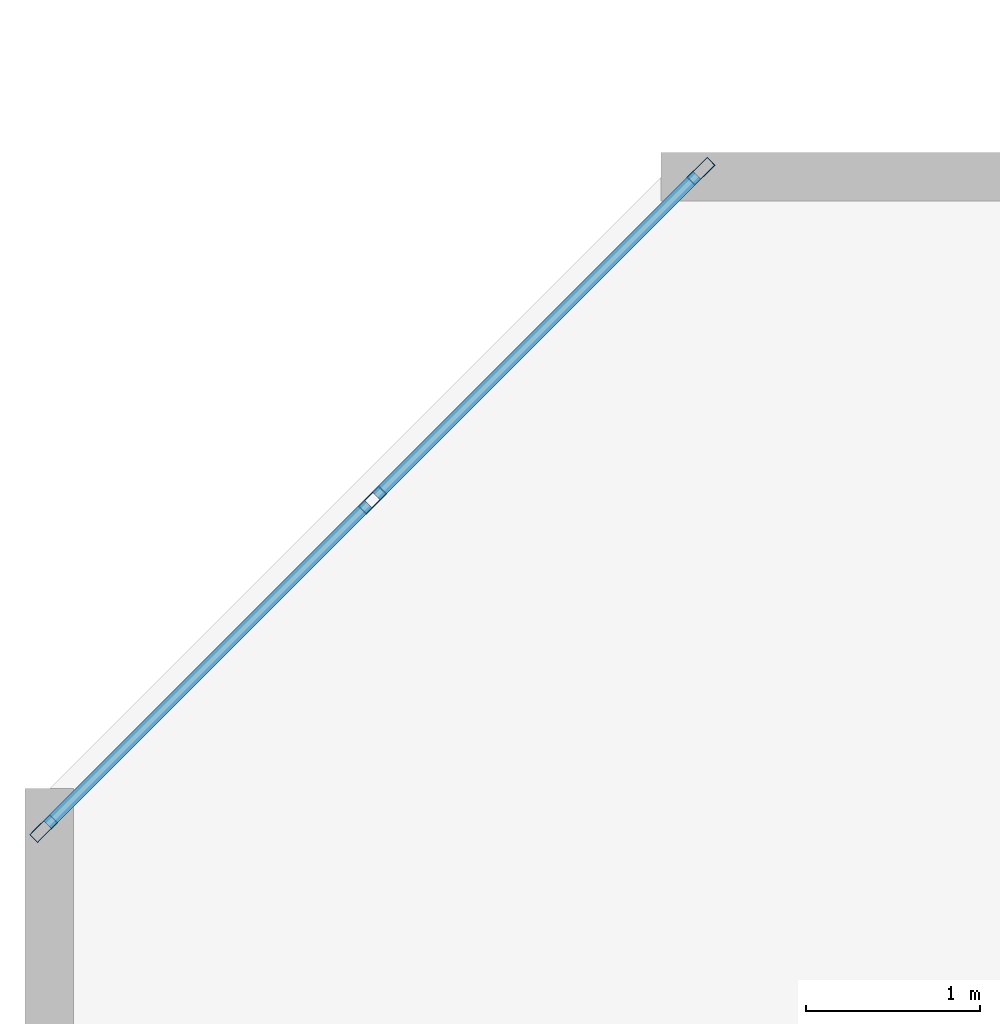
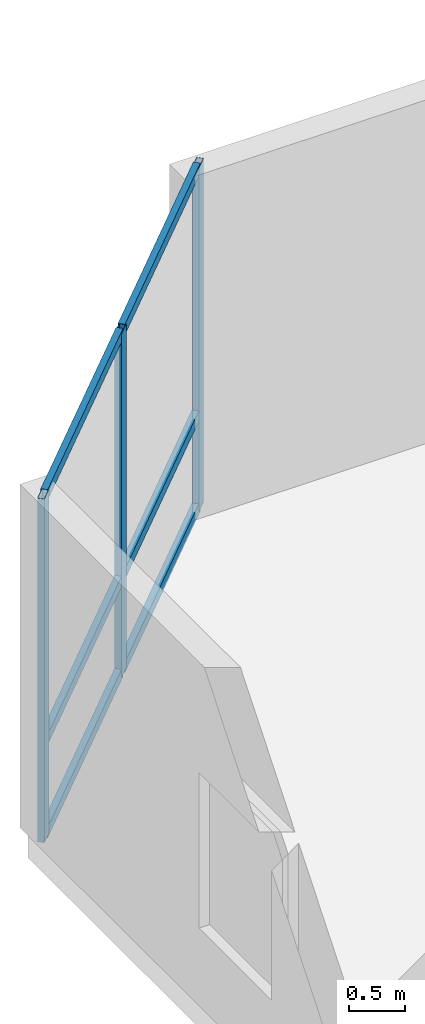
# One storey, part 2 of 9: 9 members, 1 element without a shape of its own.
"""IFC4 building model written with IfcOpenShell, lengths in metres."""

from ifc_helpers import new_model, si_unit, direction, frame, origin, origin_2d, place, context, subcontext, project, spatial, hollow_rectangle, extrude, material, layer, layer_set, material_profile, profile_set, type_object, element, aggregate, save


model = new_model("IFC4")

# Units and contexts
model_context = context("Model", 3, precision=1e-05, world=origin(), true_north=direction((0.0, 1.0)))
body_context = subcontext(model_context, "Body", "Model", "MODEL_VIEW")
ifc_project = project(units=[si_unit("LENGTHUNIT", "METRE"), si_unit("AREAUNIT", "SQUARE_METRE"), si_unit("VOLUMEUNIT", "CUBIC_METRE"), si_unit("PLANEANGLEUNIT", "RADIAN"), si_unit("MASSUNIT", "GRAM", prefix="KILO")], contexts=[model_context])

# Site, building, storey
site_placement = place(None, origin())
site = spatial("IfcSite", under=ifc_project, at=site_placement, CompositionType="ELEMENT")
building_placement = place(site_placement, origin())
building = spatial("IfcBuilding", under=site, at=building_placement, Name="Kestravale Grand Hotel", CompositionType="ELEMENT")
storey_placement = place(building_placement, frame((0.0, 0.0, 257.39990234375)))
storey = spatial("IfcBuildingStorey", under=building, at=storey_placement, Name="L64", CompositionType="ELEMENT", Elevation=257.39990234375)

# Curtain wall, members
ifc_material_1 = material(Name="Thermally broken champagne-bronze aluminium and low-E glazing", Category="aluminium")
ifc_layer = layer(ifc_material_1, 0.179931640625)
ifc_layer_set = layer_set([ifc_layer], Name="CW-Z4")
curtain_wall_type = type_object("IfcCurtainWallType", Name="CW-Z4", PredefinedType="NOTDEFINED", material=ifc_layer_set)
curtain_wall_placement = place(storey_placement, origin())
curtain_wall = element("IfcCurtainWall", 1, at=curtain_wall_placement, inside=storey, type_object=curtain_wall_type, Name="L64 unitised curtain wall 18", PredefinedType="NOTDEFINED")
ifc_material_2 = material(Name="Aluminium 6063-T6 anodised", Category="aluminium")
ifc_material_profile_1 = material_profile(ifc_material_2, hollow_rectangle(XDim=0.06494140625, YDim=0.1650390625, WallThickness=0.00341796875, at=origin_2d()))
ifc_profile_set_1 = profile_set([ifc_material_profile_1], Name="Aluminium 6063-T6 anodised")
member_type_1 = type_object("IfcMemberType", Name="CW-MUL-165", PredefinedType="MULLION", material=ifc_profile_set_1)
member_1_placement = place(storey_placement, frame((11.690185546875, 44.59228515625, 0.0), z_axis=(0.0, 0.0, 1.0), x_axis=(0.707106781187, -0.707106781187, 0.0)))
member_1 = element("IfcMember", 2, at=member_1_placement, type_object=member_type_1, Name="CW-Z4 mullion 1", PredefinedType="MULLION", context=body_context, shape_type="SweptSolid", body=[
    extrude(hollow_rectangle(XDim=0.06494140625, YDim=0.1650390625, WallThickness=0.00341796875, at=origin_2d()), origin(), (0.0, 0.0, 1.0), 3.760009765625),
])
member_2_placement = place(storey_placement, frame((9.799072265625, 42.700927734375, 0.0), z_axis=(0.0, 0.0, 1.0), x_axis=(0.707106781187, -0.707106781187, 0.0)))
member_2 = element("IfcMember", 3, at=member_2_placement, type_object=member_type_1, Name="CW-Z4 mullion 2", PredefinedType="MULLION", context=body_context, shape_type="SweptSolid", body=[
    extrude(hollow_rectangle(XDim=0.06494140625, YDim=0.1650390625, WallThickness=0.00341796875, at=origin_2d()), origin(), (0.0, 0.0, 1.0), 3.760009765625),
])
member_3_placement = place(storey_placement, frame((7.90771484375, 40.809814453125, 0.0), z_axis=(0.0, 0.0, 1.0), x_axis=(0.707106781187, -0.707106781187, 0.0)))
member_3 = element("IfcMember", 4, at=member_3_placement, type_object=member_type_1, Name="CW-Z4 mullion 3", PredefinedType="MULLION", context=body_context, shape_type="SweptSolid", body=[
    extrude(hollow_rectangle(XDim=0.06494140625, YDim=0.1650390625, WallThickness=0.00341796875, at=origin_2d()), origin(), (0.0, 0.0, 1.0), 3.760009765625),
])
ifc_material_3 = material(Name="Aluminium 6063-T6 anodised", Category="aluminium")
ifc_material_profile_2 = material_profile(ifc_material_3, hollow_rectangle(XDim=0.06494140625, YDim=0.114990234375, WallThickness=0.003173828125, at=origin_2d()))
ifc_profile_set_2 = profile_set([ifc_material_profile_2], Name="Aluminium 6063-T6 anodised")
member_type_2 = type_object("IfcMemberType", Name="CW-TRN-115", PredefinedType="USERDEFINED", material=ifc_profile_set_2)
member_4_placement = place(storey_placement, frame((11.667236328125, 44.5693359375, 0.03271484375), z_axis=(-0.707060004037, -0.707153555242, 0.0), x_axis=(0.707153555242, -0.707060004037, 0.0)))
member_4 = element("IfcMember", 5, at=member_4_placement, type_object=member_type_2, Name="CW-Z4 transom 1.1", ObjectType="TRANSOM", PredefinedType="USERDEFINED", context=body_context, shape_type="SweptSolid", body=[
    extrude(hollow_rectangle(XDim=0.06494140625, YDim=0.114990234375, WallThickness=0.003173828125, at=origin_2d()), origin(), (0.0, 0.0, 1.0), 2.609619140625),
])
member_5_placement = place(storey_placement, frame((11.667236328125, 44.5693359375, 1.050048828125), z_axis=(-0.707060004037, -0.707153555242, 0.0), x_axis=(0.707153555242, -0.707060004037, 0.0)))
member_5 = element("IfcMember", 6, at=member_5_placement, type_object=member_type_2, Name="CW-Z4 transom 1.2", ObjectType="TRANSOM", PredefinedType="USERDEFINED", context=body_context, shape_type="SweptSolid", body=[
    extrude(hollow_rectangle(XDim=0.06494140625, YDim=0.114990234375, WallThickness=0.003173828125, at=origin_2d()), origin(), (0.0, 0.0, 1.0), 2.609619140625),
])
member_6_placement = place(storey_placement, frame((11.667236328125, 44.5693359375, 3.7275390625), z_axis=(-0.707060004037, -0.707153555242, 0.0), x_axis=(0.707153555242, -0.707060004037, 0.0)))
member_6 = element("IfcMember", 7, at=member_6_placement, type_object=member_type_2, Name="CW-Z4 transom 1.3", ObjectType="TRANSOM", PredefinedType="USERDEFINED", context=body_context, shape_type="SweptSolid", body=[
    extrude(hollow_rectangle(XDim=0.06494140625, YDim=0.114990234375, WallThickness=0.003173828125, at=origin_2d()), origin(), (0.0, 0.0, 1.0), 2.609619140625),
])
member_7_placement = place(storey_placement, frame((9.776123046875, 42.677978515625, 0.03271484375), z_axis=(-0.707153555242, -0.707060004037, 0.0), x_axis=(0.707060004037, -0.707153555242, 0.0)))
member_7 = element("IfcMember", 8, at=member_7_placement, type_object=member_type_2, Name="CW-Z4 transom 2.1", ObjectType="TRANSOM", PredefinedType="USERDEFINED", context=body_context, shape_type="SweptSolid", body=[
    extrude(hollow_rectangle(XDim=0.06494140625, YDim=0.114990234375, WallThickness=0.003173828125, at=origin_2d()), origin(), (0.0, 0.0, 1.0), 2.609619140625),
])
member_8_placement = place(storey_placement, frame((9.776123046875, 42.677978515625, 1.050048828125), z_axis=(-0.707153555242, -0.707060004037, 0.0), x_axis=(0.707060004037, -0.707153555242, 0.0)))
member_8 = element("IfcMember", 9, at=member_8_placement, type_object=member_type_2, Name="CW-Z4 transom 2.2", ObjectType="TRANSOM", PredefinedType="USERDEFINED", context=body_context, shape_type="SweptSolid", body=[
    extrude(hollow_rectangle(XDim=0.06494140625, YDim=0.114990234375, WallThickness=0.003173828125, at=origin_2d()), origin(), (0.0, 0.0, 1.0), 2.609619140625),
])
member_9_placement = place(storey_placement, frame((9.776123046875, 42.677978515625, 3.7275390625), z_axis=(-0.707153555242, -0.707060004037, 0.0), x_axis=(0.707060004037, -0.707153555242, 0.0)))
member_9 = element("IfcMember", 10, at=member_9_placement, type_object=member_type_2, Name="CW-Z4 transom 2.3", ObjectType="TRANSOM", PredefinedType="USERDEFINED", context=body_context, shape_type="SweptSolid", body=[
    extrude(hollow_rectangle(XDim=0.06494140625, YDim=0.114990234375, WallThickness=0.003173828125, at=origin_2d()), origin(), (0.0, 0.0, 1.0), 2.609619140625),
])
aggregate(curtain_wall, [member_1, member_2, member_3, member_4, member_5, member_6, member_7, member_8, member_9])

save(model, "model.ifc")
